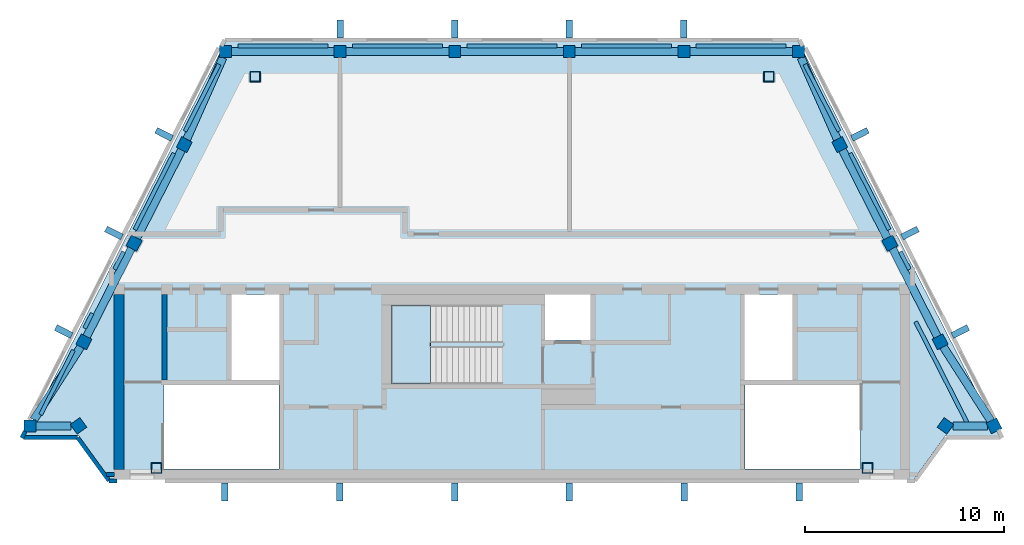
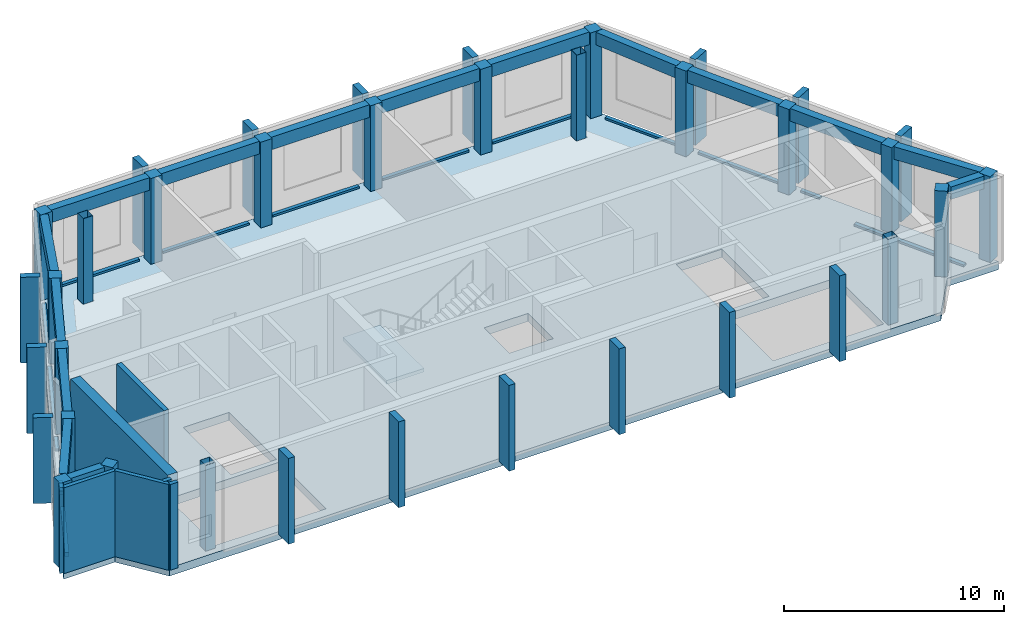
"""IFC4 building model written with IfcOpenShell, lengths in metres."""

from ifc_helpers import new_model, si_unit, direction, frame, frame_2d, origin, origin_2d, place, context, subcontext, project, spatial, polyline, rectangle, hollow_rectangle, outline, extrude, material, layer, layer_set, material_profile, profile_set, type_object, element, aggregate, save


model = new_model("IFC4")

# Units and contexts
model_context = context("Model", 3, precision=1e-05, world=origin(), true_north=direction((0.0, 1.0)))
body_context = subcontext(model_context, "Body", "Model", "MODEL_VIEW")
ifc_project = project(units=[si_unit("LENGTHUNIT", "METRE"), si_unit("AREAUNIT", "SQUARE_METRE"), si_unit("VOLUMEUNIT", "CUBIC_METRE"), si_unit("PLANEANGLEUNIT", "RADIAN"), si_unit("MASSUNIT", "GRAM", prefix="KILO")], contexts=[model_context])

# Site, building, storey
site_placement = place(None, origin())
site = spatial("IfcSite", under=ifc_project, at=site_placement, CompositionType="ELEMENT")
building_placement = place(site_placement, origin())
building = spatial("IfcBuilding", under=site, at=building_placement, Name="Quipu Civic Tower", CompositionType="ELEMENT")
storey_1_placement = place(building_placement, frame((0.0, 0.0, 363.0)))
storey_1 = spatial("IfcBuildingStorey", under=building, at=storey_1_placement, Name="L84", CompositionType="ELEMENT", Elevation=363.0)

# Columns
ifc_material_1 = material(Name="Steel ASTM A500 Grade C (fy 345 MPa)", Category="steel")
ifc_material_profile_1 = material_profile(ifc_material_1, hollow_rectangle(XDim=0.508056640625, YDim=0.508056640625, WallThickness=0.015869140625, at=origin_2d()), Name="HSS508x508x16")
ifc_profile_set_1 = profile_set([ifc_material_profile_1], Name="Steel ASTM A500 Grade C (fy 345 MPa)")
column_type_1 = type_object("IfcColumnType", Name="Crown leg base post HSS508x508x16", PredefinedType="COLUMN", material=ifc_profile_set_1)
for number, where, z_axis, x_axis, name in (
    (1, (-17.8701171875, -10.433837890625, 0.0), (0.0, 0.0, 1.0), (1.0, 0.0, 0.0), "Crown leg base post L84 1"),
    (2, (17.8701171875, -10.433837890625, 0.0), (0.0, 0.0, 1.0), (1.0, 0.0, 0.0), "Crown leg base post L84 2"),
    (3, (12.916015625, 9.242919921875, 0.0), (0.0, 0.0, 1.0), (1.0, 0.0, 0.0), "Crown leg base post L84 3"),
    (4, (-12.916015625, 9.242919921875, 0.0), (0.0, 0.0, 1.0), (1.0, 0.0, 0.0), "Crown leg base post L84 4"),
):
    element("IfcColumn", number, at=place(storey_1_placement, frame(where, z_axis=z_axis, x_axis=x_axis)), inside=storey_1, type_object=column_type_1, Name=name, PredefinedType="COLUMN", context=body_context, shape_type="SweptSolid", body=[
        extrude(hollow_rectangle(XDim=0.508056640625, YDim=0.508056640625, WallThickness=0.015869140625, at=origin_2d()), origin(), (0.0, 0.0, 1.0), 4.75),
    ])
ifc_material_2 = material(Name="Concrete C40/50", Category="concrete")
ifc_material_profile_2 = material_profile(ifc_material_2, rectangle(XDim=0.60009765625, YDim=0.60009765625, at=origin_2d()), Name="RC600x600")
ifc_profile_set_2 = profile_set([ifc_material_profile_2], Name="Concrete C40/50")
column_type_2 = type_object("IfcColumnType", Name="Perimeter column RC 600x600 C40/50", PredefinedType="COLUMN", material=ifc_profile_set_2)
for number, where, z_axis, x_axis, name in (
    (5, (-16.474365234375, 5.8193359375, 0.0), (0.0, 0.0, 1.0), (-0.45399049974, -0.891006524188, 0.0), "Column L84 W-SIDE-01"),
    (6, (-18.998291015625, 0.865478515625, 0.0), (0.0, 0.0, 1.0), (-0.45399049974, -0.891006524188, 0.0), "Column L84 W-SIDE-02"),
    (7, (-21.52197265625, -4.0888671875, 0.0), (0.0, 0.0, 1.0), (-0.45399049974, -0.891006524188, 0.0), "Column L84 W-SIDE-03"),
    (8, (-24.235107421875, -8.31494140625, 0.0), (0.0, 0.0, 1.0), (1.0, 0.0, 0.0), "Column L84 J-Wo.2"),
    (9, (-21.791748046875, -8.31494140625, 0.0), (0.0, 0.0, 1.0), (0.587785252292, -0.809016994375, 0.0), "Column L84 J-Wo.3"),
    (10, (21.791748046875, -8.31494140625, 0.0), (0.0, 0.0, 1.0), (0.587785252292, 0.809016994375, 0.0), "Column L84 J-Eo.1"),
    (11, (24.235107421875, -8.31494140625, 0.0), (0.0, 0.0, 1.0), (-0.45399049974, 0.891006524188, 0.0), "Column L84 J-Eo.2"),
    (12, (21.52197265625, -4.0888671875, 0.0), (0.0, 0.0, 1.0), (-0.45399049974, 0.891006524188, 0.0), "Column L84 E-SIDE-01"),
    (13, (18.998291015625, 0.865478515625, 0.0), (0.0, 0.0, 1.0), (-0.45399049974, 0.891006524188, 0.0), "Column L84 E-SIDE-02"),
    (14, (16.474365234375, 5.8193359375, 0.0), (0.0, 0.0, 1.0), (-0.45399049974, 0.891006524188, 0.0), "Column L84 E-SIDE-03"),
    (15, (14.395263671875, 10.5, 0.0), (0.0, 0.0, 1.0), (-1.0, 0.0, 0.0), "Column L84 J-Ei.0"),
    (16, (8.63720703125, 10.5, 0.0), (0.0, 0.0, 1.0), (-1.0, 0.0, 0.0), "Column L84 FRONT-01"),
    (17, (2.87890625, 10.5, 0.0), (0.0, 0.0, 1.0), (-1.0, 0.0, 0.0), "Column L84 FRONT-02"),
    (18, (-2.87890625, 10.5, 0.0), (0.0, 0.0, 1.0), (-1.0, 0.0, 0.0), "Column L84 FRONT-03"),
    (19, (-8.63720703125, 10.5, 0.0), (0.0, 0.0, 1.0), (-1.0, 0.0, 0.0), "Column L84 FRONT-04"),
    (20, (-14.395263671875, 10.5, 0.0), (0.0, 0.0, 1.0), (-1.0, 0.0, 0.0), "Column L84 J-Wi.0"),
):
    element("IfcColumn", number, at=place(storey_1_placement, frame(where, z_axis=z_axis, x_axis=x_axis)), inside=storey_1, type_object=column_type_2, Name=name, PredefinedType="COLUMN", context=body_context, shape_type="SweptSolid", body=[
        extrude(rectangle(XDim=0.60009765625, YDim=0.60009765625, at=origin_2d()), origin(), (0.0, 0.0, 1.0), 4.75),
    ])

# Beams
ifc_material_3 = material(Name="Concrete C50/60", Category="concrete")
ifc_material_profile_3 = material_profile(ifc_material_3, rectangle(XDim=0.39990234375, YDim=0.699951171875, at=origin_2d()), Name="RC400x700")
ifc_profile_set_3 = profile_set([ifc_material_profile_3], Name="Concrete C50/60")
beam_type = type_object("IfcBeamType", Name="Spandrel beam RC 400x700 C50/60", PredefinedType="SPANDREL", material=ifc_profile_set_3)
beam_1_placement = place(storey_1_placement, frame((-16.610595703125, 5.552001953125, 4.39990234375), z_axis=(-0.453954539925, -0.891024845715, 0.0), x_axis=(0.891024845715, -0.453954539925, 0.0)))
element("IfcBeam", 21, at=beam_1_placement, inside=storey_1, type_object=beam_type, Name="Spandrel beam L84 W-SIDE-01 to W-SIDE-02", PredefinedType="SPANDREL", context=body_context, shape_type="SweptSolid", body=[
    extrude(rectangle(XDim=0.39990234375, YDim=0.699951171875, at=origin_2d()), origin(), (0.0, 0.0, 1.0), 4.959716796875),
])
beam_2_placement = place(storey_1_placement, frame((-19.13427734375, 0.59814453125, 4.39990234375), z_axis=(-0.453914721299, -0.891045131173, 0.0), x_axis=(0.891045131173, -0.453914721299, 0.0)))
element("IfcBeam", 22, at=beam_2_placement, inside=storey_1, type_object=beam_type, Name="Spandrel beam L84 W-SIDE-02 to W-SIDE-03", PredefinedType="SPANDREL", context=body_context, shape_type="SweptSolid", body=[
    extrude(rectangle(XDim=0.39990234375, YDim=0.699951171875, at=origin_2d()), origin(), (0.0, 0.0, 1.0), 4.960205078125),
])
beam_3_placement = place(storey_1_placement, frame((-21.684814453125, -4.342529296875, 4.39990234375), z_axis=(-0.540248545818, -0.841505501314, 0.0), x_axis=(0.841505501314, -0.540248545818, 0.0)))
element("IfcBeam", 23, at=beam_3_placement, inside=storey_1, type_object=beam_type, Name="Spandrel beam L84 W-SIDE-03 to J-Wo.2", PredefinedType="SPANDREL", context=body_context, shape_type="SweptSolid", body=[
    extrude(rectangle(XDim=0.39990234375, YDim=0.699951171875, at=origin_2d()), origin(), (0.0, 0.0, 1.0), 4.364013671875),
])
beam_4_placement = place(storey_1_placement, frame((-23.93505859375, -8.31494140625, 4.39990234375), z_axis=(1.0, 0.0, 0.0), x_axis=(0.0, 1.0, 0.0)))
element("IfcBeam", 24, at=beam_4_placement, inside=storey_1, type_object=beam_type, Name="Spandrel beam L84 J-Wo.2 to J-Wo.3", PredefinedType="SPANDREL", context=body_context, shape_type="SweptSolid", body=[
    extrude(rectangle(XDim=0.39990234375, YDim=0.699951171875, at=origin_2d()), origin(), (0.0, 0.0, 1.0), 1.7724609375),
])
beam_5_placement = place(storey_1_placement, frame((22.16259765625, -8.31494140625, 4.39990234375), z_axis=(1.0, 0.0, 0.0), x_axis=(0.0, 1.0, 0.0)))
element("IfcBeam", 25, at=beam_5_placement, inside=storey_1, type_object=beam_type, Name="Spandrel beam L84 J-Eo.1 to J-Eo.2", PredefinedType="SPANDREL", context=body_context, shape_type="SweptSolid", body=[
    extrude(rectangle(XDim=0.39990234375, YDim=0.699951171875, at=origin_2d()), origin(), (0.0, 0.0, 1.0), 1.735595703125),
])
beam_6_placement = place(storey_1_placement, frame((24.072021484375, -8.061279296875, 4.39990234375), z_axis=(-0.540210187411, 0.841530126268, 0.0), x_axis=(-0.841530126268, -0.540210187411, 0.0)))
element("IfcBeam", 26, at=beam_6_placement, inside=storey_1, type_object=beam_type, Name="Spandrel beam L84 J-Eo.2 to E-SIDE-01", PredefinedType="SPANDREL", context=body_context, shape_type="SweptSolid", body=[
    extrude(rectangle(XDim=0.39990234375, YDim=0.699951171875, at=origin_2d()), origin(), (0.0, 0.0, 1.0), 4.4189453125),
])
beam_7_placement = place(storey_1_placement, frame((21.3857421875, -3.821533203125, 4.39990234375), z_axis=(-0.453914721299, 0.891045131173, 0.0), x_axis=(-0.891045131173, -0.453914721299, 0.0)))
element("IfcBeam", 27, at=beam_7_placement, inside=storey_1, type_object=beam_type, Name="Spandrel beam L84 E-SIDE-01 to E-SIDE-02", PredefinedType="SPANDREL", context=body_context, shape_type="SweptSolid", body=[
    extrude(rectangle(XDim=0.39990234375, YDim=0.699951171875, at=origin_2d()), origin(), (0.0, 0.0, 1.0), 4.960205078125),
])
beam_8_placement = place(storey_1_placement, frame((18.862060546875, 1.1328125, 4.39990234375), z_axis=(-0.453954539925, 0.891024845715, 0.0), x_axis=(-0.891024845715, -0.453954539925, 0.0)))
element("IfcBeam", 28, at=beam_8_placement, inside=storey_1, type_object=beam_type, Name="Spandrel beam L84 E-SIDE-02 to E-SIDE-03", PredefinedType="SPANDREL", context=body_context, shape_type="SweptSolid", body=[
    extrude(rectangle(XDim=0.39990234375, YDim=0.699951171875, at=origin_2d()), origin(), (0.0, 0.0, 1.0), 4.959716796875),
])
beam_9_placement = place(storey_1_placement, frame((16.3525390625, 6.093994140625, 4.39990234375), z_axis=(-0.405972078929, 0.913885480315, 0.0), x_axis=(-0.913885480315, -0.405972078929, 0.0)))
element("IfcBeam", 29, at=beam_9_placement, inside=storey_1, type_object=beam_type, Name="Spandrel beam L84 E-SIDE-03 to J-Ei.0", PredefinedType="SPANDREL", context=body_context, shape_type="SweptSolid", body=[
    extrude(rectangle(XDim=0.39990234375, YDim=0.699951171875, at=origin_2d()), origin(), (0.0, 0.0, 1.0), 4.492919921875),
])
for number, where, z_axis, x_axis, name in (
    (30, (14.09521484375, 10.5, 4.39990234375), (-1.0, 0.0, 0.0), (0.0, -1.0, 0.0), "Spandrel beam L84 J-Ei.0 to FRONT-01"),
    (31, (8.337158203125, 10.5, 4.39990234375), (-1.0, 0.0, 0.0), (0.0, -1.0, 0.0), "Spandrel beam L84 FRONT-01 to FRONT-02"),
    (32, (2.5791015625, 10.5, 4.39990234375), (-1.0, 0.0, 0.0), (0.0, -1.0, 0.0), "Spandrel beam L84 FRONT-02 to FRONT-03"),
    (33, (-3.178955078125, 10.5, 4.39990234375), (-1.0, 0.0, 0.0), (0.0, -1.0, 0.0), "Spandrel beam L84 FRONT-03 to FRONT-04"),
    (34, (-8.93701171875, 10.5, 4.39990234375), (-1.0, 0.0, 0.0), (0.0, -1.0, 0.0), "Spandrel beam L84 FRONT-04 to J-Wi.0"),
):
    element("IfcBeam", number, at=place(storey_1_placement, frame(where, z_axis=z_axis, x_axis=x_axis)), inside=storey_1, type_object=beam_type, Name=name, PredefinedType="SPANDREL", context=body_context, shape_type="SweptSolid", body=[
        extrude(rectangle(XDim=0.39990234375, YDim=0.699951171875, at=origin_2d()), origin(), (0.0, 0.0, 1.0), 5.158203125),
    ])
beam_10_placement = place(storey_1_placement, frame((-14.528564453125, 10.199951171875, 4.39990234375), z_axis=(-0.405972078929, -0.913885480315, 0.0), x_axis=(0.913885480315, -0.405972078929, 0.0)))
element("IfcBeam", 35, at=beam_10_placement, inside=storey_1, type_object=beam_type, Name="Spandrel beam L84 J-Wi.0 to W-SIDE-01", PredefinedType="SPANDREL", context=body_context, shape_type="SweptSolid", body=[
    extrude(rectangle(XDim=0.39990234375, YDim=0.699951171875, at=origin_2d()), origin(), (0.0, 0.0, 1.0), 4.492919921875),
])

# Storey
storey_2_placement = place(building_placement, frame((0.0, 0.0, 355.0)))
storey_2 = spatial("IfcBuildingStorey", under=building, at=storey_2_placement, Name="L83", CompositionType="ELEMENT", Elevation=355.0)

# Curtain wall, member
ifc_material_4 = material(Name="Insulated glass unit", Category="glass")
curtain_wall_type_1 = type_object("IfcCurtainWallType", Name="Damper hall glazing CW7", PredefinedType="NOTDEFINED", material=ifc_material_4)
curtain_wall_1_placement = place(storey_2_placement, origin())
curtain_wall_1 = element("IfcCurtainWall", 36, at=curtain_wall_1_placement, inside=storey_2, type_object=curtain_wall_type_1, Name="Damper hall glazing CW7 L83 run 1a", PredefinedType="NOTDEFINED")
ifc_material_5 = material(Name="Anodised aluminium", Category="aluminium")
ifc_material_profile_4 = material_profile(ifc_material_5, rectangle(XDim=0.199951171875, YDim=0.219970703125, at=origin_2d()), Name="RECT 200x220")
ifc_profile_set_4 = profile_set([ifc_material_profile_4], Name="Anodised aluminium")
member_type_1 = type_object("IfcMemberType", Name="Transom CW7", PredefinedType="USERDEFINED", material=ifc_profile_set_4)
member_1_placement = place(storey_1_placement, frame((-14.72314453125, 9.863525390625, 0.0), z_axis=(-0.454050660131, -0.890975868379, 0.0), x_axis=(0.890975868379, -0.454050660131, 0.0)))
member_1 = element("IfcMember", 37, at=member_1_placement, inside=storey_1, type_object=member_type_1, Name="CW7 transom 1.3", ObjectType="TRANSOM", PredefinedType="USERDEFINED", context=body_context, shape_type="SweptSolid", body=[
    extrude(rectangle(XDim=0.199951171875, YDim=0.219970703125, at=origin_2d()), origin(), (0.0, 0.0, 1.0), 3.77783203125),
])
aggregate(curtain_wall_1, [member_1])

curtain_wall_2_placement = place(storey_2_placement, origin())
curtain_wall_2 = element("IfcCurtainWall", 38, at=curtain_wall_2_placement, inside=storey_2, type_object=curtain_wall_type_1, Name="Damper hall glazing CW7 L83 run 1b", PredefinedType="NOTDEFINED")
member_2_placement = place(storey_1_placement, frame((-17.001708984375, 5.3916015625, 0.0), z_axis=(-0.454007077981, -0.890998076958, 0.0), x_axis=(0.890998076958, -0.454007077981, 0.0)))
member_2 = element("IfcMember", 39, at=member_2_placement, inside=storey_1, type_object=member_type_1, Name="CW7 transom 1.3", ObjectType="TRANSOM", PredefinedType="USERDEFINED", context=body_context, shape_type="SweptSolid", body=[
    extrude(rectangle(XDim=0.199951171875, YDim=0.219970703125, at=origin_2d()), origin(), (0.0, 0.0, 1.0), 4.318603515625),
])
aggregate(curtain_wall_2, [member_2])

curtain_wall_3_placement = place(storey_2_placement, origin())
curtain_wall_3 = element("IfcCurtainWall", 40, at=curtain_wall_3_placement, inside=storey_2, type_object=curtain_wall_type_1, Name="Damper hall glazing CW7 L83 run 1c", PredefinedType="NOTDEFINED")
member_3_placement = place(storey_1_placement, frame((-19.52587890625, 0.437744140625, 0.0), z_axis=(-0.453951428876, -0.891026430709, 0.0), x_axis=(0.891026430709, -0.453951428876, 0.0)))
member_3 = element("IfcMember", 41, at=member_3_placement, inside=storey_1, type_object=member_type_1, Name="CW7 transom 1.3", ObjectType="TRANSOM", PredefinedType="USERDEFINED", context=body_context, shape_type="SweptSolid", body=[
    extrude(rectangle(XDim=0.199951171875, YDim=0.219970703125, at=origin_2d()), origin(), (0.0, 0.0, 1.0), 0.998291015625),
])
aggregate(curtain_wall_3, [member_3])

curtain_wall_4_placement = place(storey_2_placement, origin())
curtain_wall_4 = element("IfcCurtainWall", 42, at=curtain_wall_4_placement, inside=storey_2, type_object=curtain_wall_type_1, Name="Damper hall glazing CW7 L83 run 3a", PredefinedType="NOTDEFINED")
member_4_placement = place(storey_1_placement, frame((-21.10498046875, -2.66259765625, 0.0), z_axis=(-0.453947562936, -0.891028400279, 0.0), x_axis=(0.891028400279, -0.453947562936, 0.0)))
member_4 = element("IfcMember", 43, at=member_4_placement, inside=storey_1, type_object=member_type_1, Name="CW7 transom 1.3", ObjectType="TRANSOM", PredefinedType="USERDEFINED", context=body_context, shape_type="SweptSolid", body=[
    extrude(rectangle(XDim=0.199951171875, YDim=0.219970703125, at=origin_2d()), origin(), (0.0, 0.0, 1.0), 0.839599609375),
])
aggregate(curtain_wall_4, [member_4])

curtain_wall_5_placement = place(storey_2_placement, origin())
curtain_wall_5 = element("IfcCurtainWall", 44, at=curtain_wall_5_placement, inside=storey_2, type_object=curtain_wall_type_1, Name="Damper hall glazing CW7 L83 run 14a", PredefinedType="NOTDEFINED")
member_5_placement = place(storey_1_placement, frame((19.97900390625, -0.45166015625, 0.0), z_axis=(-0.453951428876, 0.891026430709, 0.0), x_axis=(-0.891026430709, -0.453951428876, 0.0)))
member_5 = element("IfcMember", 45, at=member_5_placement, inside=storey_1, type_object=member_type_1, Name="CW7 transom 1.3", ObjectType="TRANSOM", PredefinedType="USERDEFINED", context=body_context, shape_type="SweptSolid", body=[
    extrude(rectangle(XDim=0.199951171875, YDim=0.219970703125, at=origin_2d()), origin(), (0.0, 0.0, 1.0), 0.998291015625),
])
aggregate(curtain_wall_5, [member_5])

curtain_wall_6_placement = place(storey_2_placement, origin())
curtain_wall_6 = element("IfcCurtainWall", 46, at=curtain_wall_6_placement, inside=storey_2, type_object=curtain_wall_type_1, Name="Damper hall glazing CW7 L83 run 14b", PredefinedType="NOTDEFINED")
member_6_placement = place(storey_1_placement, frame((18.96240234375, 1.543701171875, 0.0), z_axis=(-0.454007077981, 0.890998076958, 0.0), x_axis=(-0.890998076958, -0.454007077981, 0.0)))
member_6 = element("IfcMember", 47, at=member_6_placement, inside=storey_1, type_object=member_type_1, Name="CW7 transom 1.3", ObjectType="TRANSOM", PredefinedType="USERDEFINED", context=body_context, shape_type="SweptSolid", body=[
    extrude(rectangle(XDim=0.199951171875, YDim=0.219970703125, at=origin_2d()), origin(), (0.0, 0.0, 1.0), 4.318603515625),
])
aggregate(curtain_wall_6, [member_6])

curtain_wall_7_placement = place(storey_2_placement, origin())
curtain_wall_7 = element("IfcCurtainWall", 48, at=curtain_wall_7_placement, inside=storey_2, type_object=curtain_wall_type_1, Name="Damper hall glazing CW7 L83 run 14c", PredefinedType="NOTDEFINED")
member_7_placement = place(storey_1_placement, frame((16.438232421875, 6.497314453125, 0.0), z_axis=(-0.453973215679, 0.891015330646, 0.0), x_axis=(-0.891015330646, -0.453973215679, 0.0)))
member_7 = element("IfcMember", 49, at=member_7_placement, inside=storey_1, type_object=member_type_1, Name="CW7 transom 1.3", ObjectType="TRANSOM", PredefinedType="USERDEFINED", context=body_context, shape_type="SweptSolid", body=[
    extrude(rectangle(XDim=0.199951171875, YDim=0.219970703125, at=origin_2d()), origin(), (0.0, 0.0, 1.0), 3.77783203125),
])
aggregate(curtain_wall_7, [member_7])

curtain_wall_8_placement = place(storey_2_placement, origin())
curtain_wall_8 = element("IfcCurtainWall", 50, at=curtain_wall_8_placement, inside=storey_2, type_object=curtain_wall_type_1, Name="Damper hall glazing CW7 L83 run 15a", PredefinedType="NOTDEFINED")
member_8_placement = place(storey_1_placement, frame((13.774658203125, 10.77587890625, 0.0), z_axis=(-1.0, 0.0, 0.0), x_axis=(0.0, -1.0, 0.0)))
member_8 = element("IfcMember", 51, at=member_8_placement, inside=storey_1, type_object=member_type_1, Name="CW7 transom 1.3", ObjectType="TRANSOM", PredefinedType="USERDEFINED", context=body_context, shape_type="SweptSolid", body=[
    extrude(rectangle(XDim=0.199951171875, YDim=0.219970703125, at=origin_2d()), origin(), (0.0, 0.0, 1.0), 4.51708984375),
])
aggregate(curtain_wall_8, [member_8])

curtain_wall_9_placement = place(storey_2_placement, origin())
curtain_wall_9 = element("IfcCurtainWall", 52, at=curtain_wall_9_placement, inside=storey_2, type_object=curtain_wall_type_1, Name="Damper hall glazing CW7 L83 run 15b", PredefinedType="NOTDEFINED")
member_9_placement = place(storey_1_placement, frame((8.0166015625, 10.77587890625, 0.0), z_axis=(-1.0, 0.0, 0.0), x_axis=(0.0, -1.0, 0.0)))
member_9 = element("IfcMember", 53, at=member_9_placement, inside=storey_1, type_object=member_type_1, Name="CW7 transom 1.3", ObjectType="TRANSOM", PredefinedType="USERDEFINED", context=body_context, shape_type="SweptSolid", body=[
    extrude(rectangle(XDim=0.199951171875, YDim=0.219970703125, at=origin_2d()), origin(), (0.0, 0.0, 1.0), 4.51708984375),
])
aggregate(curtain_wall_9, [member_9])

curtain_wall_10_placement = place(storey_2_placement, origin())
curtain_wall_10 = element("IfcCurtainWall", 54, at=curtain_wall_10_placement, inside=storey_2, type_object=curtain_wall_type_1, Name="Damper hall glazing CW7 L83 run 15c", PredefinedType="NOTDEFINED")
member_10_placement = place(storey_1_placement, frame((2.258544921875, 10.77587890625, 0.0), z_axis=(-1.0, 0.0, 0.0), x_axis=(0.0, -1.0, 0.0)))
member_10 = element("IfcMember", 55, at=member_10_placement, inside=storey_1, type_object=member_type_1, Name="CW7 transom 1.3", ObjectType="TRANSOM", PredefinedType="USERDEFINED", context=body_context, shape_type="SweptSolid", body=[
    extrude(rectangle(XDim=0.199951171875, YDim=0.219970703125, at=origin_2d()), origin(), (0.0, 0.0, 1.0), 4.51708984375),
])
aggregate(curtain_wall_10, [member_10])

curtain_wall_11_placement = place(storey_2_placement, origin())
curtain_wall_11 = element("IfcCurtainWall", 56, at=curtain_wall_11_placement, inside=storey_2, type_object=curtain_wall_type_1, Name="Damper hall glazing CW7 L83 run 15d", PredefinedType="NOTDEFINED")
member_11_placement = place(storey_1_placement, frame((-3.49951171875, 10.77587890625, 0.0), z_axis=(-1.0, 0.0, 0.0), x_axis=(0.0, -1.0, 0.0)))
member_11 = element("IfcMember", 57, at=member_11_placement, inside=storey_1, type_object=member_type_1, Name="CW7 transom 1.3", ObjectType="TRANSOM", PredefinedType="USERDEFINED", context=body_context, shape_type="SweptSolid", body=[
    extrude(rectangle(XDim=0.199951171875, YDim=0.219970703125, at=origin_2d()), origin(), (0.0, 0.0, 1.0), 4.51708984375),
])
aggregate(curtain_wall_11, [member_11])

curtain_wall_12_placement = place(storey_2_placement, origin())
curtain_wall_12 = element("IfcCurtainWall", 58, at=curtain_wall_12_placement, inside=storey_2, type_object=curtain_wall_type_1, Name="Damper hall glazing CW7 L83 run 15e", PredefinedType="NOTDEFINED")
member_12_placement = place(storey_1_placement, frame((-9.257568359375, 10.77587890625, 0.0), z_axis=(-1.0, 0.0, 0.0), x_axis=(0.0, -1.0, 0.0)))
member_12 = element("IfcMember", 59, at=member_12_placement, inside=storey_1, type_object=member_type_1, Name="CW7 transom 1.3", ObjectType="TRANSOM", PredefinedType="USERDEFINED", context=body_context, shape_type="SweptSolid", body=[
    extrude(rectangle(XDim=0.199951171875, YDim=0.219970703125, at=origin_2d()), origin(), (0.0, 0.0, 1.0), 4.51708984375),
])
aggregate(curtain_wall_12, [member_12])

ifc_material_6 = material(Name="Anodised aluminium insulated panel", Category="aluminium")
curtain_wall_type_2 = type_object("IfcCurtainWallType", Name="Insulated infill wall CW7I", PredefinedType="NOTDEFINED", material=ifc_material_6)
curtain_wall_13_placement = place(storey_2_placement, origin())
curtain_wall_13 = element("IfcCurtainWall", 60, at=curtain_wall_13_placement, inside=storey_2, type_object=curtain_wall_type_2, Name="Insulated infill wall CW7I L83 run 3b", PredefinedType="NOTDEFINED")
ifc_material_7 = material(Name="Anodised aluminium", Category="aluminium")
ifc_material_profile_5 = material_profile(ifc_material_7, rectangle(XDim=0.199951171875, YDim=0.219970703125, at=origin_2d()), Name="RECT 200x220")
ifc_profile_set_5 = profile_set([ifc_material_profile_5], Name="Anodised aluminium")
member_type_2 = type_object("IfcMemberType", Name="Transom CW7I", PredefinedType="USERDEFINED", material=ifc_profile_set_5)
member_13_placement = place(storey_1_placement, frame((-22.049560546875, -4.516357421875, 0.0), z_axis=(-0.453970044916, -0.891016946146, 0.0), x_axis=(0.891016946146, -0.453970044916, 0.0)))
member_13 = element("IfcMember", 61, at=member_13_placement, inside=storey_1, type_object=member_type_2, Name="CW7I transom 1.3", ObjectType="TRANSOM", PredefinedType="USERDEFINED", context=body_context, shape_type="SweptSolid", body=[
    extrude(rectangle(XDim=0.199951171875, YDim=0.219970703125, at=origin_2d()), origin(), (0.0, 0.0, 1.0), 3.635498046875),
])
aggregate(curtain_wall_13, [member_13])

curtain_wall_14_placement = place(storey_2_placement, origin())
curtain_wall_14 = element("IfcCurtainWall", 62, at=curtain_wall_14_placement, inside=storey_2, type_object=curtain_wall_type_2, Name="Insulated infill wall CW7I L83 run 12", PredefinedType="NOTDEFINED")
member_14_placement = place(storey_1_placement, frame((22.98095703125, -8.359130859375, 0.0), z_axis=(-0.453988716827, 0.891007432626, 0.0), x_axis=(-0.891007432626, -0.453988716827, 0.0)))
member_14 = element("IfcMember", 63, at=member_14_placement, inside=storey_1, type_object=member_type_2, Name="CW7I transom 1.3", ObjectType="TRANSOM", PredefinedType="USERDEFINED", context=body_context, shape_type="SweptSolid", body=[
    extrude(rectangle(XDim=0.199951171875, YDim=0.219970703125, at=origin_2d()), origin(), (0.0, 0.0, 1.0), 5.92724609375),
])
aggregate(curtain_wall_14, [member_14])

# Slab
ifc_material_8 = material(Name="Concrete C40/50", Category="concrete")
ifc_layer_1 = layer(ifc_material_8, 0.449951171875)
ifc_layer_set_1 = layer_set([ifc_layer_1], Name="Concrete C40/50")
slab_type_1 = type_object("IfcSlabType", Name="Floor slab 450 C40/50", PredefinedType="FLOOR", material=ifc_layer_set_1)
slab_1_placement = place(storey_1_placement, frame((0.0, 0.0, -0.449951171875)))
element("IfcSlab", 64, at=slab_1_placement, inside=storey_1, type_object=slab_type_1, Name="Floor slab L84", PredefinedType="FLOOR", context=body_context, shape_type="SweptSolid", body=[
    extrude(outline(polyline([(24.489990234375, -8.81494140625), (21.7900390625, -8.81494140625), (20.205078125, -11.0), (-20.205078125, -11.0), (-21.7900390625, -8.81494140625), (-24.489990234375, -8.81494140625), (-14.39501953125, 11.0), (14.39501953125, 11.0), (24.489990234375, -8.81494140625)]), holes=[polyline([(-17.4951171875, -10.4951171875), (-11.705078125, -10.4951171875), (-11.705078125, -6.2548828125), (-17.4951171875, -6.2548828125), (-17.4951171875, -10.4951171875)]), polyline([(17.4951171875, -6.2548828125), (11.705078125, -6.2548828125), (11.705078125, -10.4951171875), (17.4951171875, -10.4951171875), (17.4951171875, -6.2548828125)]), polyline([(-11.699951171875, -6.0), (-11.699951171875, -1.699951171875), (-14.10009765625, -1.699951171875), (-14.10009765625, -6.0), (-11.699951171875, -6.0)]), polyline([(11.699951171875, -6.0), (14.10009765625, -6.0), (14.10009765625, -1.699951171875), (11.699951171875, -1.699951171875), (11.699951171875, -6.0)]), polyline([(1.64990234375, -4.0), (3.949951171875, -4.0), (3.949951171875, -1.699951171875), (1.64990234375, -1.699951171875), (1.64990234375, -4.0)])]), origin(), (0.0, 0.0, 1.0), 0.449951171875),
])

# Plates
ifc_material_9 = material(Name="Precast concrete C40/50", Category="concrete")
plate_type = type_object("IfcPlateType", Name="Precast fin F3", PredefinedType="SHEET", material=ifc_material_9)
for number, where, z_axis, x_axis, name in (
    (65, (-17.487548828125, 6.336181640625, 0.0), (0.0, 0.0, 1.0), (-0.453990376607, -0.891006586928, 0.0), "Precast fin F3 L84.2.1"),
    (66, (-20.01171875, 1.382080078125, 0.0), (0.0, 0.0, 1.0), (-0.453990376607, -0.891006586928, 0.0), "Precast fin F3 L84.2.2"),
    (67, (-22.535888671875, -3.572021484375, 0.0), (0.0, 0.0, 1.0), (-0.453990376607, -0.891006586928, 0.0), "Precast fin F3 L84.2.3"),
    (68, (-14.431884765625, -11.637939453125, 0.0), (0.0, 0.0, 1.0), (1.0, 0.0, 0.0), "Precast fin F3 L84.7.1"),
    (69, (-8.658935546875, -11.637939453125, 0.0), (0.0, 0.0, 1.0), (1.0, 0.0, 0.0), "Precast fin F3 L84.7.2"),
    (70, (-2.885986328125, -11.637939453125, 0.0), (0.0, 0.0, 1.0), (1.0, 0.0, 0.0), "Precast fin F3 L84.7.3"),
    (71, (2.885986328125, -11.637939453125, 0.0), (0.0, 0.0, 1.0), (1.0, 0.0, 0.0), "Precast fin F3 L84.7.4"),
    (72, (8.658935546875, -11.637939453125, 0.0), (0.0, 0.0, 1.0), (1.0, 0.0, 0.0), "Precast fin F3 L84.7.5"),
    (73, (14.431884765625, -11.637939453125, 0.0), (0.0, 0.0, 1.0), (1.0, 0.0, 0.0), "Precast fin F3 L84.7.6"),
    (74, (22.5361328125, -3.572265625, 0.0), (0.0, 0.0, 1.0), (-0.453990376607, 0.891006586928, 0.0), "Precast fin F3 L84.12.1"),
    (75, (20.011962890625, 1.381591796875, 0.0), (0.0, 0.0, 1.0), (-0.453990376607, 0.891006586928, 0.0), "Precast fin F3 L84.12.2"),
    (76, (17.48779296875, 6.335693359375, 0.0), (0.0, 0.0, 1.0), (-0.453990376607, 0.891006586928, 0.0), "Precast fin F3 L84.12.3"),
    (77, (8.63720703125, 11.637939453125, 0.0), (0.0, 0.0, 1.0), (-1.0, 0.0, 0.0), "Precast fin F3 L84.14.1"),
    (78, (2.879150390625, 11.637939453125, 0.0), (0.0, 0.0, 1.0), (-1.0, 0.0, 0.0), "Precast fin F3 L84.14.2"),
    (79, (-2.87890625, 11.637939453125, 0.0), (0.0, 0.0, 1.0), (-1.0, 0.0, 0.0), "Precast fin F3 L84.14.3"),
    (80, (-8.63671875, 11.637939453125, 0.0), (0.0, 0.0, 1.0), (-1.0, 0.0, 0.0), "Precast fin F3 L84.14.4"),
):
    element("IfcPlate", number, at=place(storey_1_placement, frame(where, z_axis=z_axis, x_axis=x_axis)), inside=storey_1, type_object=plate_type, Name=name, PredefinedType="SHEET", context=body_context, shape_type="SweptSolid", body=[
        extrude(rectangle(XDim=0.320068359375, YDim=0.89990234375, at=origin_2d()), origin(), (0.0, 0.0, 1.0), 4.75),
    ])

# Stair, slab
ifc_material_10 = material(Name="Concrete C40/50", Category="concrete")
stair_type = type_object("IfcStairType", Name="Half turn stair 1910", PredefinedType="HALF_TURN_STAIR", material=ifc_material_10)
stair_placement = place(storey_1_placement, origin())
stair = element("IfcStair", 81, at=stair_placement, inside=storey_1, type_object=stair_type, Name="Crown access stair", PredefinedType="HALF_TURN_STAIR")
ifc_material_11 = material(Name="Concrete C40/50", Category="concrete")
ifc_layer_2 = layer(ifc_material_11, 0.199951171875)
ifc_layer_set_2 = layer_set([ifc_layer_2], Name="Concrete C40/50")
slab_type_2 = type_object("IfcSlabType", Name="Stair landing 200", PredefinedType="LANDING", material=ifc_layer_set_2)
slab_2_placement = place(storey_1_placement, frame((0.0, 0.0, 2.300048828125)))
slab_2 = element("IfcSlab", 82, at=slab_2_placement, type_object=slab_type_2, Name="ST-5 landing 1", PredefinedType="LANDING", context=body_context, shape_type="SweptSolid", body=[
    extrude(outline(polyline([(-4.10009765625, -2.22998046875), (-6.050048828125, -2.22998046875), (-6.050048828125, -6.199951171875), (-4.10009765625, -6.199951171875), (-4.10009765625, -2.22998046875)])), origin(), (0.0, 0.0, 1.0), 0.199951171875),
])
aggregate(stair, [slab_2])

# Walls
ifc_material_12 = material(Name="Concrete C70/85", Category="concrete")
ifc_layer_3 = layer(ifc_material_12, 0.25)
ifc_layer_set_3 = layer_set([ifc_layer_3], Name="Concrete C70/85")
wall_type_1 = type_object("IfcWallType", Name="Core wall 250", PredefinedType="SHEAR", material=ifc_layer_set_3)
wall_1_placement = place(storey_1_placement, frame((-17.47509765625, -6.0, 0.0), z_axis=(0.0, 0.0, 1.0), x_axis=(0.0, 1.0, 0.0)))
element("IfcWall", 83, at=wall_1_placement, inside=storey_1, type_object=wall_type_1, Name="Core wall", PredefinedType="SHEAR", context=body_context, shape_type="SweptSolid", body=[
    extrude(rectangle(XDim=4.300048828125, YDim=0.25, at=frame_2d((2.14990234375, 0.0))), origin(), (0.0, 0.0, 1.0), 4.75),
])
ifc_material_13 = material(Name="Concrete C70/85", Category="concrete")
ifc_layer_4 = layer(ifc_material_13, 0.5)
ifc_layer_set_4 = layer_set([ifc_layer_4], Name="Concrete C70/85")
wall_type_2 = type_object("IfcWallType", Name="Core wall 500", PredefinedType="SHEAR", material=ifc_layer_set_4)
wall_2_placement = place(storey_1_placement, frame((-19.75, -10.5, 0.0), z_axis=(0.0, 0.0, 1.0), x_axis=(0.0, 1.0, 0.0)))
element("IfcWall", 84, at=wall_2_placement, inside=storey_1, type_object=wall_type_2, Name="Core wall", PredefinedType="SHEAR", context=body_context, shape_type="SweptSolid", body=[
    extrude(rectangle(XDim=8.800048828125, YDim=0.5, at=frame_2d((4.39990234375, 0.0))), origin(), (0.0, 0.0, 1.0), 4.75),
])
ifc_material_14 = material(Name="Precast concrete C40/50", Category="concrete")
wall_type_3 = type_object("IfcWallType", Name="Precast cladding wall", PredefinedType="SOLIDWALL", material=ifc_material_14)
wall_3_placement = place(storey_1_placement, frame((-24.477294921875, -8.593505859375, 0.0), z_axis=(0.0, 0.0, 1.0), x_axis=(-0.454104787712, -0.890948282324, 0.0)))
element("IfcWall", 85, at=wall_3_placement, inside=storey_1, type_object=wall_type_3, Name="Precast cladding wall L84 3", PredefinedType="SOLIDWALL", context=body_context, shape_type="SweptSolid", body=[
    extrude(rectangle(XDim=0.36767578125, YDim=0.199951171875, at=frame_2d((0.183837890625, 0.0))), origin(), (0.0, 0.0, 1.0), 4.75),
])
wall_4_placement = place(storey_1_placement, frame((-24.56103515625, -8.90380859375, 0.0), z_axis=(0.0, 0.0, 1.0), x_axis=(1.0, 0.0, 0.0)))
element("IfcWall", 86, at=wall_4_placement, inside=storey_1, type_object=wall_type_3, Name="Precast cladding wall L84 4", PredefinedType="SOLIDWALL", context=body_context, shape_type="SweptSolid", body=[
    extrude(rectangle(XDim=2.71826171875, YDim=0.199951171875, at=frame_2d((1.359130859375, 0.0))), origin(), (0.0, 0.0, 1.0), 4.75),
])
wall_5_placement = place(storey_1_placement, frame((-21.8330078125, -8.90869140625, 0.0), z_axis=(0.0, 0.0, 1.0), x_axis=(0.587766567315, -0.809030569476, 0.0)))
element("IfcWall", 87, at=wall_5_placement, inside=storey_1, type_object=wall_type_3, Name="Precast cladding wall L84 5", PredefinedType="SOLIDWALL", context=body_context, shape_type="SweptSolid", body=[
    extrude(rectangle(XDim=2.687744140625, YDim=0.199951171875, at=frame_2d((1.34375, 0.0))), origin(), (0.0, 0.0, 1.0), 4.75),
])
wall_6_placement = place(storey_1_placement, frame((-20.255859375, -11.087890625, 0.0), z_axis=(0.0, 0.0, 1.0), x_axis=(1.0, 0.0, 0.0)))
element("IfcWall", 88, at=wall_6_placement, inside=storey_1, type_object=wall_type_3, Name="Precast cladding wall L84 6", PredefinedType="SOLIDWALL", context=body_context, shape_type="SweptSolid", body=[
    extrude(rectangle(XDim=0.40576171875, YDim=0.199951171875, at=frame_2d((0.202880859375, 0.0))), origin(), (0.0, 0.0, 1.0), 4.75),
])
wall_7_placement = place(storey_1_placement, frame((-19.97998046875, -10.75, 0.0), z_axis=(0.0, 0.0, 1.0), x_axis=(-1.0, 0.0, 0.0)))
element("IfcWall", 89, at=wall_7_placement, inside=storey_1, type_object=wall_type_3, Name="Precast cladding return L84 W", PredefinedType="SOLIDWALL", context=body_context, shape_type="SweptSolid", body=[
    extrude(rectangle(XDim=0.41650390625, YDim=0.199951171875, at=frame_2d((0.208251953125, 0.0))), origin(), (0.0, 0.0, 1.0), 4.75),
])

save(model, "model.ifc")
